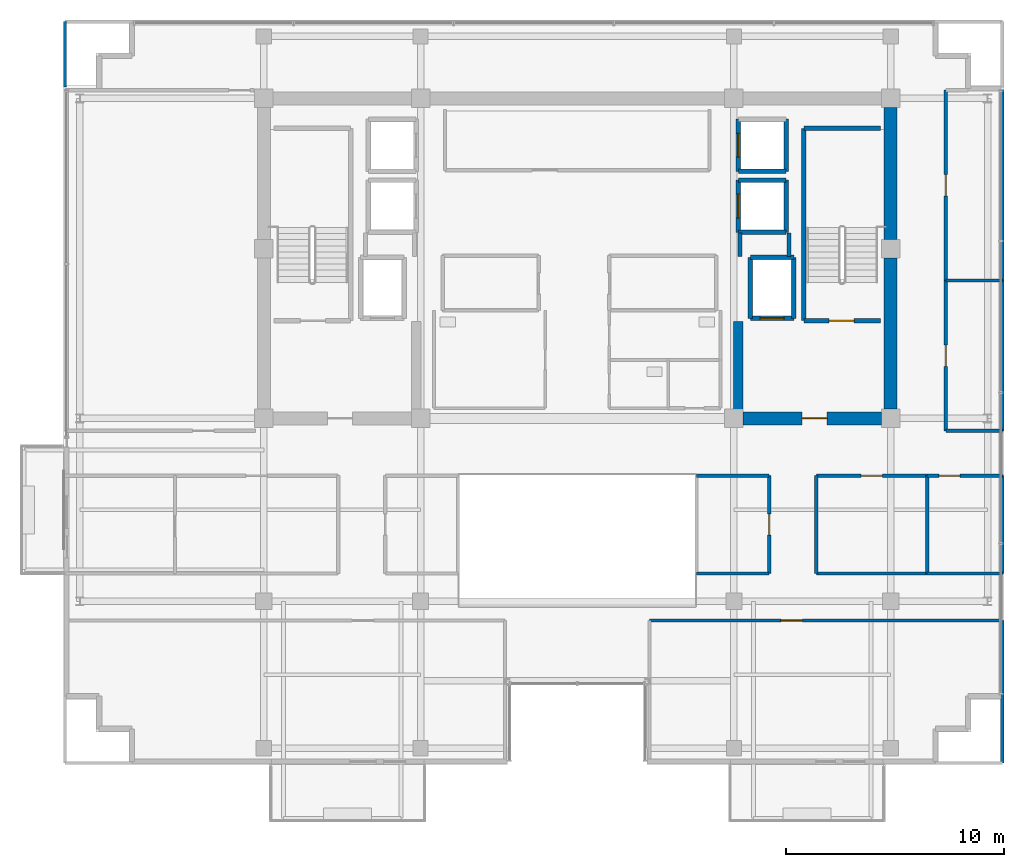
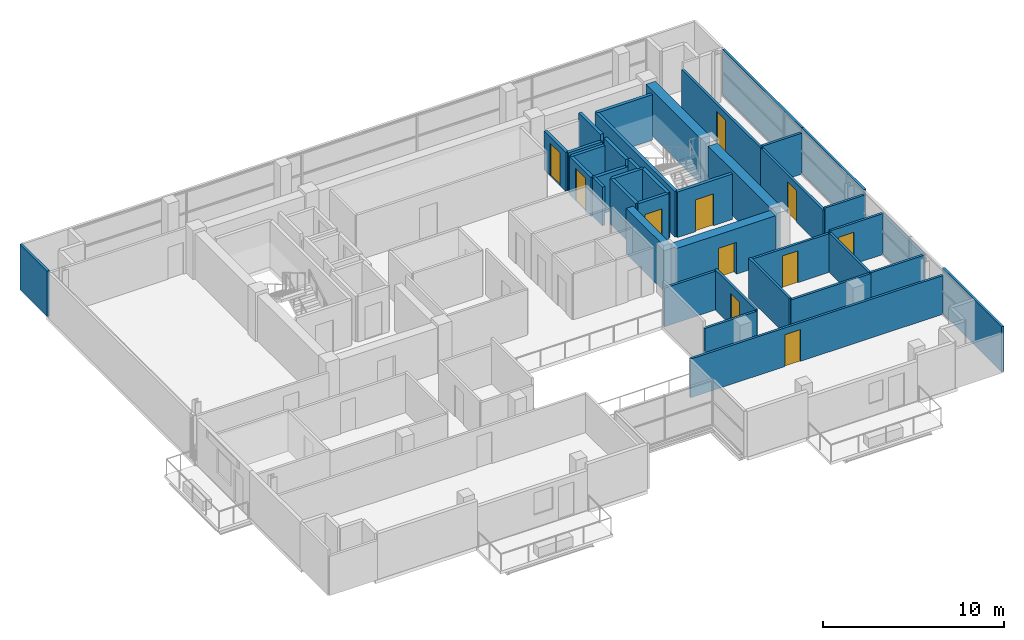
# One storey, part 17 of 22: 39 walls, 11 doors, 11 openings.
"""IFC4 building model written with IfcOpenShell, lengths in metres."""

from ifc_helpers import new_model, si_unit, direction, frame, frame_2d, origin, place, context, subcontext, project, spatial, rectangle, extrude, source, transform, mapped, material, layer, layer_set, type_object, element, fill, save


model = new_model("IFC4")

# Units and contexts
model_context = context("Model", 3, precision=1e-05, world=origin(), true_north=direction((0.0, 1.0)))
body_context = subcontext(model_context, "Body", "Model", "MODEL_VIEW")
ifc_project = project(units=[si_unit("LENGTHUNIT", "METRE"), si_unit("AREAUNIT", "SQUARE_METRE"), si_unit("VOLUMEUNIT", "CUBIC_METRE"), si_unit("PLANEANGLEUNIT", "RADIAN"), si_unit("MASSUNIT", "GRAM", prefix="KILO")], contexts=[model_context])

# Site, building, storey
site_placement = place(None, origin())
site = spatial("IfcSite", under=ifc_project, at=site_placement, CompositionType="ELEMENT")
building_placement = place(site_placement, origin())
building = spatial("IfcBuilding", under=site, at=building_placement, Name="Zarnakvel Exchange Tower", CompositionType="ELEMENT")
storey_placement = place(building_placement, frame((0.0, 0.0, 215.5)))
storey = spatial("IfcBuildingStorey", under=building, at=storey_placement, Name="L60", CompositionType="ELEMENT", Elevation=215.5)

# Walls
ifc_material_1 = material(Name="Concrete C50/60", Category="concrete")
ifc_layer_1 = layer(ifc_material_1, 0.60009765625)
ifc_layer_set_1 = layer_set([ifc_layer_1], Name="Concrete C50/60")
wall_type_1 = type_object("IfcWallType", Name="CW-C5", PredefinedType="SHEAR", material=ifc_layer_set_1)
wall_1_placement = place(storey_placement, frame((14.39990234375, -0.77490234375, 0.0), z_axis=(0.0, 0.0, 1.0), x_axis=(0.0, 1.0, 0.0)))
element("IfcWall", 1, at=wall_1_placement, inside=storey, type_object=wall_type_1, Name="L60 Rear Core Shear Wall E1 (CW-C5)", PredefinedType="SHEAR", context=body_context, shape_type="SweptSolid", body=[
    extrude(rectangle(XDim=6.949951171875, YDim=0.60009765625, at=frame_2d((3.47509765625, 0.0))), origin(), (0.0, 0.0, 1.0), 3.074951171875),
])
wall_2_placement = place(storey_placement, frame((14.39990234375, 7.02490234375, 0.0), z_axis=(0.0, 0.0, 1.0), x_axis=(0.0, 1.0, 0.0)))
element("IfcWall", 2, at=wall_2_placement, inside=storey, type_object=wall_type_1, Name="L60 Rear Core Shear Wall E2 (CW-C5)", PredefinedType="SHEAR", context=body_context, shape_type="SweptSolid", body=[
    extrude(rectangle(XDim=6.050048828125, YDim=0.60009765625, at=frame_2d((3.02490234375, 0.0))), origin(), (0.0, 0.0, 1.0), 3.074951171875),
])

# Wall, opening, door
wall_3_placement = place(storey_placement, frame((13.97509765625, -1.199951171875, 0.0), z_axis=(0.0, 0.0, 1.0), x_axis=(-1.0, 0.0, 0.0)))
wall_3 = element("IfcWall", 3, at=wall_3_placement, inside=storey, type_object=wall_type_1, Name="L60 Rear Core Shear Wall SE (CW-C5)", PredefinedType="SHEAR", context=body_context, shape_type="SweptSolid", body=[
    extrude(rectangle(XDim=6.35009765625, YDim=0.60009765625, at=frame_2d((3.175048828125, 0.0))), origin(), (0.0, 0.0, 1.0), 3.074951171875),
])
opening_1_placement = place(wall_3_placement, frame((2.5, 0.0, 0.0)))
opening_1 = element("IfcOpeningElement", 4, at=opening_1_placement, cuts=wall_3, Name="Opening D-L60-04", PredefinedType="OPENING", context=body_context, shape_type="SweptSolid", body=[
    extrude(rectangle(XDim=1.14990234375, YDim=2.14990234375, at=frame_2d((0.574951171875, 1.074951171875))), frame((0.0, 0.31005859375, 0.0), z_axis=(0.0, -1.0, 0.0), x_axis=(1.0, 0.0, 0.0)), (0.0, 0.0, 1.0), 0.6201171875),
])
ifc_material_2 = material(Name="Painted Galvanised Steel S355", Category="steel")
door_type_1 = type_object("IfcDoorType", Name="DT-04", OperationType="NOTDEFINED", PredefinedType="DOOR", material=ifc_material_2)
shared_shape_1 = source(origin(), body_context, "Body", "SweptSolid", [
    extrude(rectangle(XDim=1.14990234375, YDim=2.14990234375, at=frame_2d((0.574951171875, 1.074951171875))), frame((0.0, 0.02490234375, 0.0), z_axis=(0.0, -1.0, 0.0), x_axis=(1.0, 0.0, 0.0)), (0.0, 0.0, 1.0), 0.050048828125),
])
door_1_placement = place(opening_1_placement, origin())
door_1 = element("IfcDoor", 5, at=door_1_placement, inside=storey, type_object=door_type_1, Name="L60 Firefighting Lobby East Door D-L60-04", OperationType="SINGLE_SWING_RIGHT", OverallHeight=2.14990234375, OverallWidth=1.14990234375, PredefinedType="DOOR", context=body_context, shape_type="MappedRepresentation", body=[
    mapped(shared_shape_1, transform((0.0, 0.0, 0.0), x_axis=(1.0, 0.0, 0.0), y_axis=(0.0, 1.0, 0.0), z_axis=(0.0, 0.0, 1.0), scale=1.0)),
])
fill(opening_1, door_1)

# Walls
ifc_layer_2 = layer(ifc_material_1, 0.449951171875)
ifc_layer_set_2 = layer_set([ifc_layer_2], Name="Concrete C50/60")
wall_type_2 = type_object("IfcWallType", Name="CW-C6", PredefinedType="SHEAR", material=ifc_layer_set_2)
wall_4_placement = place(storey_placement, frame((7.39990234375, -0.89990234375, 0.0), z_axis=(0.0, 0.0, 1.0), x_axis=(0.0, 1.0, 0.0)))
element("IfcWall", 6, at=wall_4_placement, inside=storey, type_object=wall_type_2, Name="L60 Rear Core Shear Wall IE (CW-C6)", PredefinedType="SHEAR", context=body_context, shape_type="SweptSolid", body=[
    extrude(rectangle(XDim=4.14990234375, YDim=0.449951171875, at=frame_2d((2.074951171875, 0.0))), origin(), (0.0, 0.0, 1.0), 3.074951171875),
])
ifc_material_3 = material(Name="Fire-Rated Gypsum Stud Partition", Category="gypsum")
ifc_layer_3 = layer(ifc_material_3, 0.14990234375)
ifc_layer_set_3 = layer_set([ifc_layer_3], Name="Fire-Rated Gypsum Stud Partition")
wall_type_3 = type_object("IfcWallType", Name="PT-01", PredefinedType="PARTITIONING", material=ifc_layer_set_3)
wall_5_placement = place(storey_placement, frame((16.077880859375, -8.320068359375, 0.0), z_axis=(0.0, 0.0, 1.0), x_axis=(-1.0, 0.0, 0.0)))
element("IfcWall", 7, at=wall_5_placement, inside=storey, type_object=wall_type_3, Name="L60 Partition Wall PWALL-L60-044 (PT-01)", PredefinedType="PARTITIONING", context=body_context, shape_type="SweptSolid", body=[
    extrude(rectangle(XDim=5.097900390625, YDim=0.14990234375, at=frame_2d((2.548828125, 0.0))), origin(), (0.0, 0.0, 1.0), 2.614990234375),
])

# Wall, opening, door
wall_6_placement = place(storey_placement, frame((10.97998046875, -3.830078125, 0.0), z_axis=(0.0, 0.0, 1.0), x_axis=(1.0, 0.0, 0.0)))
wall_6 = element("IfcWall", 8, at=wall_6_placement, inside=storey, type_object=wall_type_3, Name="L60 Partition Wall PWALL-L60-045 (PT-01)", PredefinedType="PARTITIONING", context=body_context, shape_type="SweptSolid", body=[
    extrude(rectangle(XDim=5.097900390625, YDim=0.14990234375, at=frame_2d((2.548828125, 0.0))), origin(), (0.0, 0.0, 1.0), 2.614990234375),
])
opening_2_placement = place(wall_6_placement, frame((2.05908203125, 0.0, 0.0)))
opening_2 = element("IfcOpeningElement", 9, at=opening_2_placement, cuts=wall_6, Name="Opening D-L60-15", PredefinedType="OPENING", context=body_context, shape_type="SweptSolid", body=[
    extrude(rectangle(XDim=0.97998046875, YDim=2.14990234375, at=frame_2d((0.489990234375, 1.074951171875))), frame((0.0, 0.0849609375, 0.0), z_axis=(0.0, -1.0, 0.0), x_axis=(1.0, 0.0, 0.0)), (0.0, 0.0, 1.0), 0.169921875),
])
ifc_material_4 = material(Name="Timber Acoustic Veneer", Category="wood")
door_type_2 = type_object("IfcDoorType", Name="DT-05", OperationType="NOTDEFINED", PredefinedType="DOOR", material=ifc_material_4)
shared_shape_2 = source(origin(), body_context, "Body", "SweptSolid", [
    extrude(rectangle(XDim=0.97998046875, YDim=2.14990234375, at=frame_2d((0.489990234375, 1.074951171875))), frame((0.0, 0.02490234375, 0.0), z_axis=(0.0, -1.0, 0.0), x_axis=(1.0, 0.0, 0.0)), (0.0, 0.0, 1.0), 0.050048828125),
])
door_2_placement = place(opening_2_placement, origin())
door_2 = element("IfcDoor", 10, at=door_2_placement, inside=storey, type_object=door_type_2, Name="L60 Executive Office Door D-L60-15", OperationType="SINGLE_SWING_LEFT", OverallHeight=2.14990234375, OverallWidth=0.97998046875, PredefinedType="DOOR", context=body_context, shape_type="MappedRepresentation", body=[
    mapped(shared_shape_2, transform((0.0, 0.0, 0.0), x_axis=(1.0, 0.0, 0.0), y_axis=(0.0, 1.0, 0.0), z_axis=(0.0, 0.0, 1.0), scale=1.0)),
])
fill(opening_2, door_2)

# Walls
wall_7_placement = place(storey_placement, frame((10.97998046875, -8.320068359375, 0.0), z_axis=(0.0, 0.0, 1.0), x_axis=(0.0, 1.0, 0.0)))
element("IfcWall", 11, at=wall_7_placement, inside=storey, type_object=wall_type_3, Name="L60 Partition Wall PWALL-L60-046 (PT-01)", PredefinedType="PARTITIONING", context=body_context, shape_type="SweptSolid", body=[
    extrude(rectangle(XDim=4.489990234375, YDim=0.14990234375, at=frame_2d((2.2451171875, 0.0))), origin(), (0.0, 0.0, 1.0), 2.705078125),
])
wall_8_placement = place(storey_placement, frame((16.077880859375, -3.830078125, 0.0), z_axis=(0.0, 0.0, 1.0), x_axis=(0.0, -1.0, 0.0)))
element("IfcWall", 12, at=wall_8_placement, inside=storey, type_object=wall_type_3, Name="L60 Partition Wall PWALL-L60-047 (PT-01)", PredefinedType="PARTITIONING", context=body_context, shape_type="SweptSolid", body=[
    extrude(rectangle(XDim=4.489990234375, YDim=0.14990234375, at=frame_2d((2.2451171875, 0.0))), origin(), (0.0, 0.0, 1.0), 2.6650390625),
])
wall_9_placement = place(storey_placement, frame((19.530029296875, -8.320068359375, 0.0), z_axis=(0.0, 0.0, 1.0), x_axis=(-1.0, 0.0, 0.0)))
element("IfcWall", 13, at=wall_9_placement, inside=storey, type_object=wall_type_3, Name="L60 Partition Wall PWALL-L60-048 (PT-01)", PredefinedType="PARTITIONING", context=body_context, shape_type="SweptSolid", body=[
    extrude(rectangle(XDim=3.4521484375, YDim=0.14990234375, at=frame_2d((1.72607421875, 0.0))), origin(), (0.0, 0.0, 1.0), 2.6650390625),
])

# Wall, opening, door
wall_10_placement = place(storey_placement, frame((16.077880859375, -3.830078125, 0.0), z_axis=(0.0, 0.0, 1.0), x_axis=(1.0, 0.0, 0.0)))
wall_10 = element("IfcWall", 14, at=wall_10_placement, inside=storey, type_object=wall_type_3, Name="L60 Partition Wall PWALL-L60-049 (PT-01)", PredefinedType="PARTITIONING", context=body_context, shape_type="SweptSolid", body=[
    extrude(rectangle(XDim=3.4521484375, YDim=0.14990234375, at=frame_2d((1.72607421875, 0.0))), origin(), (0.0, 0.0, 1.0), 2.764892578125),
])
opening_3_placement = place(wall_10_placement, frame((0.535888671875, 0.0, 0.0)))
opening_3 = element("IfcOpeningElement", 15, at=opening_3_placement, cuts=wall_10, Name="Opening D-L60-16", PredefinedType="OPENING", context=body_context, shape_type="SweptSolid", body=[
    extrude(rectangle(XDim=0.97998046875, YDim=2.14990234375, at=frame_2d((0.489990234375, 1.074951171875))), frame((0.0, 0.0849609375, 0.0), z_axis=(0.0, -1.0, 0.0), x_axis=(1.0, 0.0, 0.0)), (0.0, 0.0, 1.0), 0.169921875),
])
door_3_placement = place(opening_3_placement, origin())
door_3 = element("IfcDoor", 16, at=door_3_placement, inside=storey, type_object=door_type_2, Name="L60 Meeting Room Door D-L60-16", OperationType="SINGLE_SWING_RIGHT", OverallHeight=2.14990234375, OverallWidth=0.97998046875, PredefinedType="DOOR", context=body_context, shape_type="MappedRepresentation", body=[
    mapped(shared_shape_2, transform((0.0, 0.0, 0.0), x_axis=(1.0, 0.0, 0.0), y_axis=(0.0, 1.0, 0.0), z_axis=(0.0, 0.0, 1.0), scale=1.0)),
])
fill(opening_3, door_3)

# Wall
wall_11_placement = place(storey_placement, frame((19.530029296875, -3.830078125, 0.0), z_axis=(0.0, 0.0, 1.0), x_axis=(0.0, -1.0, 0.0)))
element("IfcWall", 17, at=wall_11_placement, inside=storey, type_object=wall_type_3, Name="L60 Partition Wall PWALL-L60-050 (PT-01)", PredefinedType="PARTITIONING", context=body_context, shape_type="SweptSolid", body=[
    extrude(rectangle(XDim=4.489990234375, YDim=0.14990234375, at=frame_2d((2.2451171875, 0.0))), origin(), (0.0, 0.0, 1.0), 2.6650390625),
])

# Wall, opening, door
wall_12_placement = place(storey_placement, frame((3.320068359375, -10.47998046875, 0.0), z_axis=(0.0, 0.0, 1.0), x_axis=(1.0, 0.0, 0.0)))
wall_12 = element("IfcWall", 18, at=wall_12_placement, inside=storey, type_object=wall_type_3, Name="L60 Partition Wall PWALL-L60-052 (PT-01)", PredefinedType="PARTITIONING", context=body_context, shape_type="SweptSolid", body=[
    extrude(rectangle(XDim=16.2099609375, YDim=0.14990234375, at=frame_2d((8.10498046875, 0.0))), origin(), (0.0, 0.0, 1.0), 2.614990234375),
])
opening_4_placement = place(wall_12_placement, frame((6.0400390625, 0.0, 0.0)))
opening_4 = element("IfcOpeningElement", 19, at=opening_4_placement, cuts=wall_12, Name="Opening D-L60-17", PredefinedType="OPENING", context=body_context, shape_type="SweptSolid", body=[
    extrude(rectangle(XDim=0.97998046875, YDim=2.14990234375, at=frame_2d((0.489990234375, 1.074951171875))), frame((0.0, 0.0849609375, 0.0), z_axis=(0.0, -1.0, 0.0), x_axis=(1.0, 0.0, 0.0)), (0.0, 0.0, 1.0), 0.169921875),
])
door_4_placement = place(opening_4_placement, origin())
door_4 = element("IfcDoor", 20, at=door_4_placement, inside=storey, type_object=door_type_2, Name="L60 Clearing Office Door D-L60-17", OperationType="SINGLE_SWING_LEFT", OverallHeight=2.14990234375, OverallWidth=0.97998046875, PredefinedType="DOOR", context=body_context, shape_type="MappedRepresentation", body=[
    mapped(shared_shape_2, transform((0.0, 0.0, 0.0), x_axis=(1.0, 0.0, 0.0), y_axis=(0.0, 1.0, 0.0), z_axis=(0.0, 0.0, 1.0), scale=1.0)),
])
fill(opening_4, door_4)

# Walls
wall_13_placement = place(storey_placement, frame((19.530029296875, -10.47998046875, 0.0), z_axis=(0.0, 0.0, 1.0), x_axis=(0.0, -1.0, 0.0)))
element("IfcWall", 21, at=wall_13_placement, inside=storey, type_object=wall_type_3, Name="L60 Partition Wall PWALL-L60-054 (PT-01)", PredefinedType="PARTITIONING", context=body_context, shape_type="SweptSolid", body=[
    extrude(rectangle(XDim=6.550048828125, YDim=0.14990234375, at=frame_2d((3.27490234375, 0.0))), origin(), (0.0, 0.0, 1.0), 3.074951171875),
])
for number, where, z_axis, x_axis, name in (
    (22, (8.820068359375, -8.320068359375, 0.0), (0.0, 0.0, 1.0), (-1.0, 0.0, 0.0), "L60 Partition Wall PWALL-L60-059 (PT-01)"),
    (23, (5.47998046875, -3.830078125, 0.0), (0.0, 0.0, 1.0), (1.0, 0.0, 0.0), "L60 Partition Wall PWALL-L60-060 (PT-01)"),
):
    element("IfcWall", number, at=place(storey_placement, frame(where, z_axis=z_axis, x_axis=x_axis)), inside=storey, type_object=wall_type_3, Name=name, PredefinedType="PARTITIONING", context=body_context, shape_type="SweptSolid", body=[
        extrude(rectangle(XDim=3.340087890625, YDim=0.14990234375, at=frame_2d((1.669921875, 0.0))), origin(), (0.0, 0.0, 1.0), 2.614990234375),
    ])

# Wall, opening, door
wall_14_placement = place(storey_placement, frame((8.820068359375, -3.830078125, 0.0), z_axis=(0.0, 0.0, 1.0), x_axis=(0.0, -1.0, 0.0)))
wall_14 = element("IfcWall", 24, at=wall_14_placement, inside=storey, type_object=wall_type_3, Name="L60 Partition Wall PWALL-L60-062 (PT-01)", PredefinedType="PARTITIONING", context=body_context, shape_type="SweptSolid", body=[
    extrude(rectangle(XDim=4.489990234375, YDim=0.14990234375, at=frame_2d((2.2451171875, 0.0))), origin(), (0.0, 0.0, 1.0), 2.705078125),
])
opening_5_placement = place(wall_14_placement, frame((1.7548828125, 0.0, 0.0)))
opening_5 = element("IfcOpeningElement", 25, at=opening_5_placement, cuts=wall_14, Name="Opening D-L60-19", PredefinedType="OPENING", context=body_context, shape_type="SweptSolid", body=[
    extrude(rectangle(XDim=0.97998046875, YDim=2.14990234375, at=frame_2d((0.489990234375, 1.074951171875))), frame((0.0, 0.0849609375, 0.0), z_axis=(0.0, -1.0, 0.0), x_axis=(1.0, 0.0, 0.0)), (0.0, 0.0, 1.0), 0.169921875),
])
door_5_placement = place(opening_5_placement, origin())
door_5 = element("IfcDoor", 26, at=door_5_placement, inside=storey, type_object=door_type_2, Name="L60 Settlement Office Door D-L60-19", OperationType="SINGLE_SWING_LEFT", OverallHeight=2.14990234375, OverallWidth=0.97998046875, PredefinedType="DOOR", context=body_context, shape_type="MappedRepresentation", body=[
    mapped(shared_shape_2, transform((0.0, 0.0, 0.0), x_axis=(1.0, 0.0, 0.0), y_axis=(0.0, 1.0, 0.0), z_axis=(0.0, 0.0, 1.0), scale=1.0)),
])
fill(opening_5, door_5)

# Walls
for number, where, z_axis, x_axis, name in (
    (27, (19.530029296875, -1.77001953125, 0.0), (0.0, 0.0, 1.0), (-1.0, 0.0, 0.0), "L60 Partition Wall PWALL-L60-066 (PT-01)"),
    (28, (16.929931640625, 5.13525390625, 0.0), (0.0, 0.0, 1.0), (1.0, 0.0, 0.0), "L60 Partition Wall PWALL-L60-067 (PT-01)"),
):
    element("IfcWall", number, at=place(storey_placement, frame(where, z_axis=z_axis, x_axis=x_axis)), inside=storey, type_object=wall_type_3, Name=name, PredefinedType="PARTITIONING", context=body_context, shape_type="SweptSolid", body=[
        extrude(rectangle(XDim=2.60009765625, YDim=0.14990234375, at=frame_2d((1.300048828125, 0.0))), origin(), (0.0, 0.0, 1.0), 2.764892578125),
    ])

# Wall, opening, door
wall_15_placement = place(storey_placement, frame((16.929931640625, -1.77001953125, 0.0), z_axis=(0.0, 0.0, 1.0), x_axis=(0.0, 1.0, 0.0)))
wall_15 = element("IfcWall", 29, at=wall_15_placement, inside=storey, type_object=wall_type_3, Name="L60 Partition Wall PWALL-L60-068 (PT-01)", PredefinedType="PARTITIONING", context=body_context, shape_type="SweptSolid", body=[
    extrude(rectangle(XDim=6.9052734375, YDim=0.14990234375, at=frame_2d((3.45263671875, 0.0))), origin(), (0.0, 0.0, 1.0), 2.614990234375),
])
opening_6_placement = place(wall_15_placement, frame((2.962890625, 0.0, 0.0)))
opening_6 = element("IfcOpeningElement", 30, at=opening_6_placement, cuts=wall_15, Name="Opening D-L60-21", PredefinedType="OPENING", context=body_context, shape_type="SweptSolid", body=[
    extrude(rectangle(XDim=0.97998046875, YDim=2.14990234375, at=frame_2d((0.489990234375, 1.074951171875))), frame((0.0, 0.0849609375, 0.0), z_axis=(0.0, -1.0, 0.0), x_axis=(1.0, 0.0, 0.0)), (0.0, 0.0, 1.0), 0.169921875),
])
door_6_placement = place(opening_6_placement, origin())
door_6 = element("IfcDoor", 31, at=door_6_placement, inside=storey, type_object=door_type_2, Name="L60 Breakout Pantry Door D-L60-21", OperationType="SINGLE_SWING_LEFT", OverallHeight=2.14990234375, OverallWidth=0.97998046875, PredefinedType="DOOR", context=body_context, shape_type="MappedRepresentation", body=[
    mapped(shared_shape_2, transform((0.0, 0.0, 0.0), x_axis=(1.0, 0.0, 0.0), y_axis=(0.0, 1.0, 0.0), z_axis=(0.0, 0.0, 1.0), scale=1.0)),
])
fill(opening_6, door_6)

# Wall
wall_16_placement = place(storey_placement, frame((19.530029296875, 5.13525390625, 0.0), z_axis=(0.0, 0.0, 1.0), x_axis=(0.0, -1.0, 0.0)))
element("IfcWall", 32, at=wall_16_placement, inside=storey, type_object=wall_type_3, Name="L60 Partition Wall PWALL-L60-069 (PT-01)", PredefinedType="PARTITIONING", context=body_context, shape_type="SweptSolid", body=[
    extrude(rectangle(XDim=6.9052734375, YDim=0.14990234375, at=frame_2d((3.45263671875, 0.0))), origin(), (0.0, 0.0, 1.0), 3.074951171875),
])

# Wall, opening, door
wall_17_placement = place(storey_placement, frame((16.929931640625, 5.13525390625, 0.0), z_axis=(0.0, 0.0, 1.0), x_axis=(0.0, 1.0, 0.0)))
wall_17 = element("IfcWall", 33, at=wall_17_placement, inside=storey, type_object=wall_type_3, Name="L60 Partition Wall PWALL-L60-071 (PT-01)", PredefinedType="PARTITIONING", context=body_context, shape_type="SweptSolid", body=[
    extrude(rectangle(XDim=8.74462890625, YDim=0.14990234375, at=frame_2d((4.372314453125, 0.0))), origin(), (0.0, 0.0, 1.0), 2.614990234375),
])
opening_7_placement = place(wall_17_placement, frame((3.8828125, 0.0, 0.0)))
opening_7 = element("IfcOpeningElement", 34, at=opening_7_placement, cuts=wall_17, Name="Opening D-L60-22", PredefinedType="OPENING", context=body_context, shape_type="SweptSolid", body=[
    extrude(rectangle(XDim=0.97998046875, YDim=2.14990234375, at=frame_2d((0.489990234375, 1.074951171875))), frame((0.0, 0.0849609375, 0.0), z_axis=(0.0, -1.0, 0.0), x_axis=(1.0, 0.0, 0.0)), (0.0, 0.0, 1.0), 0.169921875),
])
door_7_placement = place(opening_7_placement, origin())
door_7 = element("IfcDoor", 35, at=door_7_placement, inside=storey, type_object=door_type_2, Name="L60 Settlement Office Door D-L60-22", OperationType="SINGLE_SWING_RIGHT", OverallHeight=2.14990234375, OverallWidth=0.97998046875, PredefinedType="DOOR", context=body_context, shape_type="MappedRepresentation", body=[
    mapped(shared_shape_2, transform((0.0, 0.0, 0.0), x_axis=(1.0, 0.0, 0.0), y_axis=(0.0, 1.0, 0.0), z_axis=(0.0, 0.0, 1.0), scale=1.0)),
])
fill(opening_7, door_7)

# Walls
wall_18_placement = place(storey_placement, frame((19.530029296875, 13.8798828125, 0.0), z_axis=(0.0, 0.0, 1.0), x_axis=(0.0, -1.0, 0.0)))
element("IfcWall", 36, at=wall_18_placement, inside=storey, type_object=wall_type_3, Name="L60 Partition Wall PWALL-L60-072 (PT-01)", PredefinedType="PARTITIONING", context=body_context, shape_type="SweptSolid", body=[
    extrude(rectangle(XDim=8.74462890625, YDim=0.14990234375, at=frame_2d((4.372314453125, 0.0))), origin(), (0.0, 0.0, 1.0), 3.074951171875),
])
wall_19_placement = place(storey_placement, frame((-23.530029296875, 14.030029296875, 0.0), z_axis=(0.0, 0.0, 1.0), x_axis=(0.0, 1.0, 0.0)))
element("IfcWall", 37, at=wall_19_placement, inside=storey, type_object=wall_type_3, Name="L60 Partition Wall PWALL-L60-074 (PT-01)", PredefinedType="PARTITIONING", context=body_context, shape_type="SweptSolid", body=[
    extrude(rectangle(XDim=3.0, YDim=0.14990234375, at=frame_2d((1.5, 0.0))), origin(), (0.0, 0.0, 1.0), 3.074951171875),
])
ifc_layer_4 = layer(ifc_material_3, 0.179931640625)
ifc_layer_set_4 = layer_set([ifc_layer_4], Name="Fire-Rated Gypsum Stud Partition")
wall_type_4 = type_object("IfcWallType", Name="PT-02", PredefinedType="PARTITIONING", material=ifc_layer_set_4)
wall_20_placement = place(storey_placement, frame((7.469970703125, 6.239990234375, 0.0), z_axis=(0.0, 0.0, 1.0), x_axis=(0.0, 1.0, 0.0)))
element("IfcWall", 38, at=wall_20_placement, inside=storey, type_object=wall_type_4, Name="L60 Partition Wall PWALL-L60-009 (PT-02)", PredefinedType="PARTITIONING", context=body_context, shape_type="SweptSolid", body=[
    extrude(rectangle(XDim=1.090087890625, YDim=0.179931640625, at=frame_2d((0.544921875, 0.0))), origin(), (0.0, 0.0, 1.0), 2.614990234375),
])
wall_21_placement = place(storey_placement, frame((9.72998046875, 7.330078125, 0.0), z_axis=(0.0, 0.0, 1.0), x_axis=(0.0, -1.0, 0.0)))
element("IfcWall", 39, at=wall_21_placement, inside=storey, type_object=wall_type_4, Name="L60 Partition Wall PWALL-L60-010 (PT-02)", PredefinedType="PARTITIONING", context=body_context, shape_type="SweptSolid", body=[
    extrude(rectangle(XDim=1.090087890625, YDim=0.179931640625, at=frame_2d((0.544921875, 0.0))), origin(), (0.0, 0.0, 1.0), 3.074951171875),
])

# Wall, opening, door
ifc_material_5 = material(Name="Concrete C40/50", Category="concrete")
ifc_layer_5 = layer(ifc_material_5, 0.199951171875)
ifc_layer_set_5 = layer_set([ifc_layer_5], Name="Concrete C40/50")
wall_type_5 = type_object("IfcWallType", Name="SW-01", PredefinedType="SOLIDWALL", material=ifc_layer_set_5)
wall_22_placement = place(storey_placement, frame((9.949951171875, 3.39990234375, 0.0), z_axis=(0.0, 0.0, 1.0), x_axis=(-1.0, 0.0, 0.0)))
wall_22 = element("IfcWall", 40, at=wall_22_placement, inside=storey, type_object=wall_type_5, Name="L60 FL-02 Hoistway Wall South", PredefinedType="SOLIDWALL", context=body_context, shape_type="SweptSolid", body=[
    extrude(rectangle(XDim=2.0, YDim=0.199951171875, at=frame_2d((1.0, 0.0))), origin(), (0.0, 0.0, 1.0), 3.074951171875),
])
opening_8_placement = place(wall_22_placement, frame((0.449951171875, 0.0, 0.0)))
opening_8 = element("IfcOpeningElement", 41, at=opening_8_placement, cuts=wall_22, Name="Opening LD-FL-02-L60", PredefinedType="OPENING", context=body_context, shape_type="SweptSolid", body=[
    extrude(rectangle(XDim=1.10009765625, YDim=2.199951171875, at=frame_2d((0.550048828125, 1.10009765625))), frame((0.0, 0.10986328125, 0.0), z_axis=(0.0, -1.0, 0.0), x_axis=(1.0, 0.0, 0.0)), (0.0, 0.0, 1.0), 0.219970703125),
])
ifc_material_6 = material(Name="Brushed Stainless Steel", Category="steel")
door_type_3 = type_object("IfcDoorType", Name="LDT-01", OperationType="NOTDEFINED", PredefinedType="DOOR", material=ifc_material_6)
shared_shape_3 = source(origin(), body_context, "Body", "SweptSolid", [
    extrude(rectangle(XDim=1.10009765625, YDim=2.199951171875, at=frame_2d((0.550048828125, 1.10009765625))), frame((0.0, 0.02490234375, 0.0), z_axis=(0.0, -1.0, 0.0), x_axis=(1.0, 0.0, 0.0)), (0.0, 0.0, 1.0), 0.050048828125),
])
door_8_placement = place(opening_8_placement, origin())
door_8 = element("IfcDoor", 42, at=door_8_placement, inside=storey, type_object=door_type_3, Name="L60 FL-02 Lift Landing Door LD-FL-02-L60", OperationType="DOUBLE_DOOR_SLIDING", OverallHeight=2.199951171875, OverallWidth=1.10009765625, PredefinedType="DOOR", context=body_context, shape_type="MappedRepresentation", body=[
    mapped(shared_shape_3, transform((0.0, 0.0, 0.0), x_axis=(1.0, 0.0, 0.0), y_axis=(0.0, 1.0, 0.0), z_axis=(0.0, 0.0, 1.0), scale=1.0)),
])
fill(opening_8, door_8)

# Walls
wall_23_placement = place(storey_placement, frame((7.949951171875, 6.199951171875, 0.0), z_axis=(0.0, 0.0, 1.0), x_axis=(1.0, 0.0, 0.0)))
element("IfcWall", 43, at=wall_23_placement, inside=storey, type_object=wall_type_5, Name="L60 FL-02 Hoistway Wall North", PredefinedType="SOLIDWALL", context=body_context, shape_type="SweptSolid", body=[
    extrude(rectangle(XDim=2.0, YDim=0.199951171875, at=frame_2d((1.0, 0.0))), origin(), (0.0, 0.0, 1.0), 3.074951171875),
])
for number, where, z_axis, x_axis, name in (
    (44, (7.949951171875, 3.39990234375, 0.0), (0.0, 0.0, 1.0), (0.0, 1.0, 0.0), "L60 FL-02 Hoistway Wall West"),
    (45, (9.949951171875, 6.199951171875, 0.0), (0.0, 0.0, 1.0), (0.0, -1.0, 0.0), "L60 FL-02 Hoistway Wall East"),
):
    element("IfcWall", number, at=place(storey_placement, frame(where, z_axis=z_axis, x_axis=x_axis)), inside=storey, type_object=wall_type_5, Name=name, PredefinedType="SOLIDWALL", context=body_context, shape_type="SweptSolid", body=[
        extrude(rectangle(XDim=2.800048828125, YDim=0.199951171875, at=frame_2d((1.39990234375, 0.0))), origin(), (0.0, 0.0, 1.0), 3.074951171875),
    ])
for number, where, z_axis, x_axis, name in (
    (46, (9.60009765625, 7.35009765625, 0.0), (0.0, 0.0, 1.0), (-1.0, 0.0, 0.0), "L60 PL-11 Hoistway Wall South"),
    (47, (7.39990234375, 9.75, 0.0), (0.0, 0.0, 1.0), (1.0, 0.0, 0.0), "L60 PL-11 Hoistway Wall North"),
):
    element("IfcWall", number, at=place(storey_placement, frame(where, z_axis=z_axis, x_axis=x_axis)), inside=storey, type_object=wall_type_5, Name=name, PredefinedType="SOLIDWALL", context=body_context, shape_type="SweptSolid", body=[
        extrude(rectangle(XDim=2.2001953125, YDim=0.199951171875, at=frame_2d((1.10009765625, 0.0))), origin(), (0.0, 0.0, 1.0), 2.614990234375),
    ])

# Wall, opening, door
wall_24_placement = place(storey_placement, frame((7.39990234375, 7.35009765625, 0.0), z_axis=(0.0, 0.0, 1.0), x_axis=(0.0, 1.0, 0.0)))
wall_24 = element("IfcWall", 48, at=wall_24_placement, inside=storey, type_object=wall_type_5, Name="L60 PL-11 Hoistway Wall West", PredefinedType="SOLIDWALL", context=body_context, shape_type="SweptSolid", body=[
    extrude(rectangle(XDim=2.39990234375, YDim=0.199951171875, at=frame_2d((1.199951171875, 0.0))), origin(), (0.0, 0.0, 1.0), 2.614990234375),
])
opening_9_placement = place(wall_24_placement, frame((0.64990234375, 0.0, 0.0)))
opening_9 = element("IfcOpeningElement", 49, at=opening_9_placement, cuts=wall_24, Name="Opening LD-PL-11-L60", PredefinedType="OPENING", context=body_context, shape_type="SweptSolid", body=[
    extrude(rectangle(XDim=1.10009765625, YDim=2.199951171875, at=frame_2d((0.550048828125, 1.10009765625))), frame((0.0, 0.10986328125, 0.0), z_axis=(0.0, -1.0, 0.0), x_axis=(1.0, 0.0, 0.0)), (0.0, 0.0, 1.0), 0.219970703125),
])
ifc_material_7 = material(Name="Architectural Bronze Anodised Aluminium", Category="aluminium")
door_type_4 = type_object("IfcDoorType", Name="LDT-02", OperationType="NOTDEFINED", PredefinedType="DOOR", material=ifc_material_7)
door_9_placement = place(opening_9_placement, origin())
door_9 = element("IfcDoor", 50, at=door_9_placement, inside=storey, type_object=door_type_4, Name="L60 PL-11 Lift Landing Door LD-PL-11-L60", OperationType="DOUBLE_DOOR_SLIDING", OverallHeight=2.199951171875, OverallWidth=1.10009765625, PredefinedType="DOOR", context=body_context, shape_type="MappedRepresentation", body=[
    mapped(shared_shape_3, transform((0.0, 0.0, 0.0), x_axis=(1.0, 0.0, 0.0), y_axis=(0.0, 1.0, 0.0), z_axis=(0.0, 0.0, 1.0), scale=1.0)),
])
fill(opening_9, door_9)

# Walls
wall_25_placement = place(storey_placement, frame((9.60009765625, 9.75, 0.0), z_axis=(0.0, 0.0, 1.0), x_axis=(0.0, -1.0, 0.0)))
element("IfcWall", 51, at=wall_25_placement, inside=storey, type_object=wall_type_5, Name="L60 PL-11 Hoistway Wall East", PredefinedType="SOLIDWALL", context=body_context, shape_type="SweptSolid", body=[
    extrude(rectangle(XDim=2.39990234375, YDim=0.199951171875, at=frame_2d((1.199951171875, 0.0))), origin(), (0.0, 0.0, 1.0), 3.074951171875),
])
wall_26_placement = place(storey_placement, frame((9.60009765625, 10.14990234375, 0.0), z_axis=(0.0, 0.0, 1.0), x_axis=(-1.0, 0.0, 0.0)))
element("IfcWall", 52, at=wall_26_placement, inside=storey, type_object=wall_type_5, Name="L60 PL-12 Hoistway Wall South", PredefinedType="SOLIDWALL", context=body_context, shape_type="SweptSolid", body=[
    extrude(rectangle(XDim=2.2001953125, YDim=0.199951171875, at=frame_2d((1.10009765625, 0.0))), origin(), (0.0, 0.0, 1.0), 2.614990234375),
])

# Wall, opening, door
wall_27_placement = place(storey_placement, frame((7.39990234375, 10.14990234375, 0.0), z_axis=(0.0, 0.0, 1.0), x_axis=(0.0, 1.0, 0.0)))
wall_27 = element("IfcWall", 53, at=wall_27_placement, inside=storey, type_object=wall_type_5, Name="L60 PL-12 Hoistway Wall West", PredefinedType="SOLIDWALL", context=body_context, shape_type="SweptSolid", body=[
    extrude(rectangle(XDim=2.400146484375, YDim=0.199951171875, at=frame_2d((1.2001953125, 0.0))), origin(), (0.0, 0.0, 1.0), 2.614990234375),
])
opening_10_placement = place(wall_27_placement, frame((0.64990234375, 0.0, 0.0)))
opening_10 = element("IfcOpeningElement", 54, at=opening_10_placement, cuts=wall_27, Name="Opening LD-PL-12-L60", PredefinedType="OPENING", context=body_context, shape_type="SweptSolid", body=[
    extrude(rectangle(XDim=1.10009765625, YDim=2.199951171875, at=frame_2d((0.550048828125, 1.10009765625))), frame((0.0, 0.10986328125, 0.0), z_axis=(0.0, -1.0, 0.0), x_axis=(1.0, 0.0, 0.0)), (0.0, 0.0, 1.0), 0.219970703125),
])
door_10_placement = place(opening_10_placement, origin())
door_10 = element("IfcDoor", 55, at=door_10_placement, inside=storey, type_object=door_type_4, Name="L60 PL-12 Lift Landing Door LD-PL-12-L60", OperationType="DOUBLE_DOOR_SLIDING", OverallHeight=2.199951171875, OverallWidth=1.10009765625, PredefinedType="DOOR", context=body_context, shape_type="MappedRepresentation", body=[
    mapped(shared_shape_3, transform((0.0, 0.0, 0.0), x_axis=(1.0, 0.0, 0.0), y_axis=(0.0, 1.0, 0.0), z_axis=(0.0, 0.0, 1.0), scale=1.0)),
])
fill(opening_10, door_10)

# Wall
wall_28_placement = place(storey_placement, frame((9.60009765625, 12.550048828125, 0.0), z_axis=(0.0, 0.0, 1.0), x_axis=(0.0, -1.0, 0.0)))
element("IfcWall", 56, at=wall_28_placement, inside=storey, type_object=wall_type_5, Name="L60 PL-12 Hoistway Wall East", PredefinedType="SOLIDWALL", context=body_context, shape_type="SweptSolid", body=[
    extrude(rectangle(XDim=2.400146484375, YDim=0.199951171875, at=frame_2d((1.2001953125, 0.0))), origin(), (0.0, 0.0, 1.0), 3.074951171875),
])

# Wall, opening, door
ifc_layer_6 = layer(ifc_material_5, 0.199951171875)
ifc_layer_set_6 = layer_set([ifc_layer_6], Name="Concrete C40/50")
wall_type_6 = type_object("IfcWallType", Name="SW-02", PredefinedType="SOLIDWALL", material=ifc_layer_set_6)
wall_29_placement = place(storey_placement, frame((13.929931640625, 3.2900390625, 0.0), z_axis=(0.0, 0.0, 1.0), x_axis=(-1.0, 0.0, 0.0)))
wall_29 = element("IfcWall", 57, at=wall_29_placement, inside=storey, type_object=wall_type_6, Name="L60 Stairwell Core Wall PWALL-L60-004 (SW-02)", PredefinedType="SOLIDWALL", context=body_context, shape_type="SweptSolid", body=[
    extrude(rectangle(XDim=3.52001953125, YDim=0.199951171875, at=frame_2d((1.760009765625, 0.0))), origin(), (0.0, 0.0, 1.0), 3.074951171875),
])
opening_11_placement = place(wall_29_placement, frame((1.205078125, 0.0, 0.0)))
opening_11 = element("IfcOpeningElement", 58, at=opening_11_placement, cuts=wall_29, Name="Opening D-L60-02", PredefinedType="OPENING", context=body_context, shape_type="SweptSolid", body=[
    extrude(rectangle(XDim=1.14990234375, YDim=2.14990234375, at=frame_2d((0.574951171875, 1.074951171875))), frame((0.0, 0.10986328125, 0.0), z_axis=(0.0, -1.0, 0.0), x_axis=(1.0, 0.0, 0.0)), (0.0, 0.0, 1.0), 0.219970703125),
])
door_11_placement = place(opening_11_placement, origin())
door_11 = element("IfcDoor", 59, at=door_11_placement, inside=storey, type_object=door_type_1, Name="L60 Stairwell ST-02 Door D-L60-02", OperationType="SINGLE_SWING_RIGHT", OverallHeight=2.14990234375, OverallWidth=1.14990234375, PredefinedType="DOOR", context=body_context, shape_type="MappedRepresentation", body=[
    mapped(shared_shape_1, transform((0.0, 0.0, 0.0), x_axis=(1.0, 0.0, 0.0), y_axis=(0.0, 1.0, 0.0), z_axis=(0.0, 0.0, 1.0), scale=1.0)),
])
fill(opening_11, door_11)

# Walls
wall_30_placement = place(storey_placement, frame((10.409912109375, 12.1298828125, 0.0), z_axis=(0.0, 0.0, 1.0), x_axis=(1.0, 0.0, 0.0)))
element("IfcWall", 60, at=wall_30_placement, inside=storey, type_object=wall_type_6, Name="L60 Stairwell Core Wall PWALL-L60-005 (SW-02)", PredefinedType="SOLIDWALL", context=body_context, shape_type="SweptSolid", body=[
    extrude(rectangle(XDim=3.52001953125, YDim=0.199951171875, at=frame_2d((1.760009765625, 0.0))), origin(), (0.0, 0.0, 1.0), 3.074951171875),
])
wall_31_placement = place(storey_placement, frame((10.409912109375, 3.2900390625, 0.0), z_axis=(0.0, 0.0, 1.0), x_axis=(0.0, 1.0, 0.0)))
element("IfcWall", 61, at=wall_31_placement, inside=storey, type_object=wall_type_6, Name="L60 Stairwell Core Wall PWALL-L60-006 (SW-02)", PredefinedType="SOLIDWALL", context=body_context, shape_type="SweptSolid", body=[
    extrude(rectangle(XDim=8.83984375, YDim=0.199951171875, at=frame_2d((4.419921875, 0.0))), origin(), (0.0, 0.0, 1.0), 3.074951171875),
])

save(model, "model.ifc")
